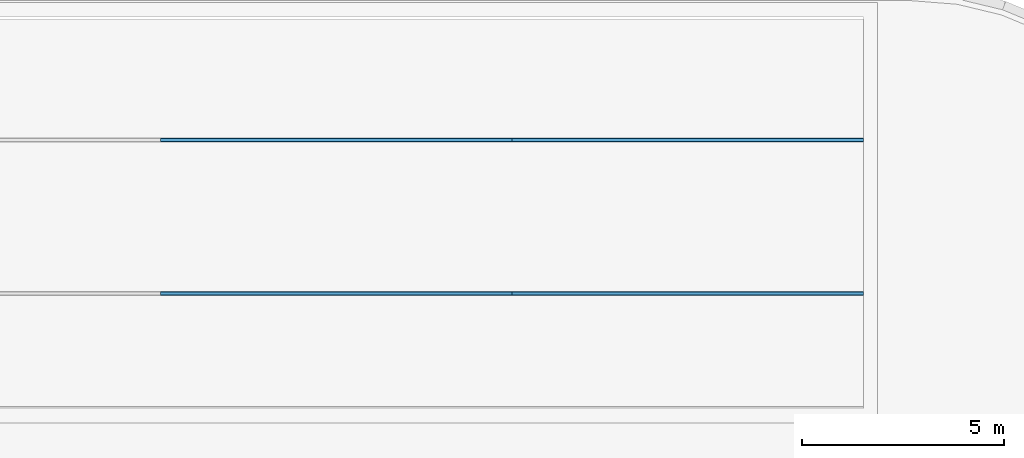
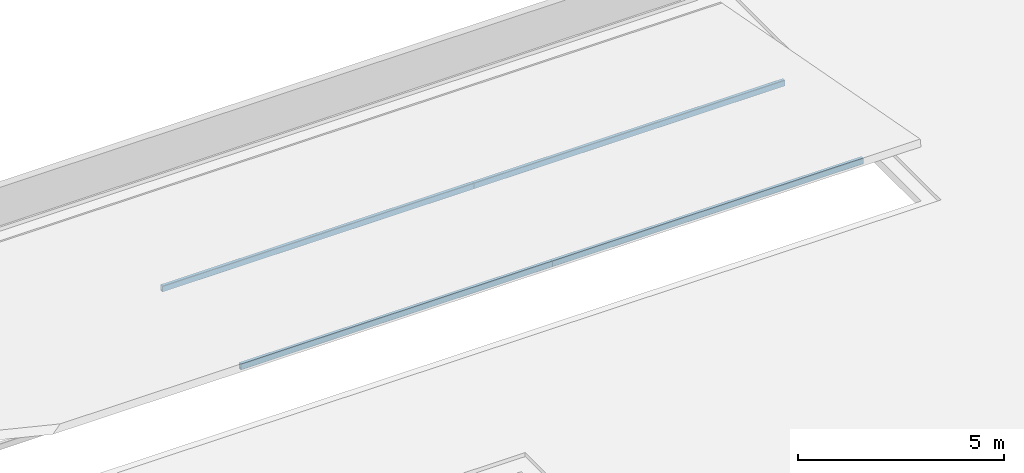
# One storey, part 47 of 76: 4 members.
"""IFC4 building model written with IfcOpenShell, lengths in metres."""

from ifc_helpers import new_model, si_unit, derived_unit, direction, frame, origin, origin_2d, place, context, subcontext, project, spatial, hollow_rectangle, extrude, material, material_profile, profile_set, type_object, element, save


model = new_model("IFC4")

# Units and contexts
model_context = context("Model", 3, precision=1e-05, world=origin(), true_north=direction((0.0, 1.0)))
body_context = subcontext(model_context, "Body", "Model", "MODEL_VIEW")
ifc_project = project(units=[si_unit("LENGTHUNIT", "METRE"), si_unit("AREAUNIT", "SQUARE_METRE"), si_unit("VOLUMEUNIT", "CUBIC_METRE"), si_unit("PLANEANGLEUNIT", "RADIAN"), si_unit("MASSUNIT", "GRAM", prefix="KILO"), derived_unit("THERMALTRANSMITTANCEUNIT", [(si_unit("MASSUNIT", "GRAM", prefix="KILO"), 1), (si_unit("TIMEUNIT", "SECOND"), -3), (si_unit("THERMODYNAMICTEMPERATUREUNIT", "KELVIN"), -1)])], contexts=[model_context])

# Site, building, storey
site_placement = place(None, origin())
site = spatial("IfcSite", under=ifc_project, at=site_placement, CompositionType="ELEMENT")
building_placement = place(site_placement, origin())
building = spatial("IfcBuilding", under=site, at=building_placement, Name="Qinzheling Arcade Emporium", CompositionType="ELEMENT")
storey_placement = place(building_placement, frame((0.0, 0.0, 26.699951171875)))
storey = spatial("IfcBuildingStorey", under=building, at=storey_placement, Name="L06", CompositionType="ELEMENT", Elevation=26.699951171875)

# Members
ifc_material = material(Name="Structural steel Q355B", Category="steel")
ifc_material_profile = material_profile(ifc_material, hollow_rectangle(XDim=0.10009765625, YDim=0.179931640625, WallThickness=0.008056640625, InnerFilletRadius=0.008056640625, OuterFilletRadius=0.01611328125, at=origin_2d()), Name="RHS 180x100x8", Category="steel")
ifc_profile_set = profile_set([ifc_material_profile], Name="Structural steel Q355B")
member_type = type_object("IfcMemberType", Name="Storm Eave Purlin RHS180 Q355B", PredefinedType="PURLIN", material=ifc_profile_set)
for number, where, z_axis, x_axis, name in (
    (1, (130.5, 17.60009765625, -0.52001953125), (1.0, 0.0, 0.0), (0.0, 1.0, 0.0), "Storm Eave Purlin EAVE-PUR-V4-1-2"),
    (2, (139.199951171875, 17.60009765625, -0.52001953125), (1.0, 0.0, 0.0), (0.0, 1.0, 0.0), "Storm Eave Purlin EAVE-PUR-V4-1-3"),
    (3, (130.5, 21.39990234375, -0.52001953125), (1.0, 0.0, 0.0), (0.0, 1.0, 0.0), "Storm Eave Purlin EAVE-PUR-V4-2-2"),
    (4, (139.199951171875, 21.39990234375, -0.52001953125), (1.0, 0.0, 0.0), (0.0, 1.0, 0.0), "Storm Eave Purlin EAVE-PUR-V4-2-3"),
):
    element("IfcMember", number, at=place(storey_placement, frame(where, z_axis=z_axis, x_axis=x_axis)), inside=storey, type_object=member_type, Name=name, PredefinedType="PURLIN", context=body_context, shape_type="SweptSolid", body=[
        extrude(hollow_rectangle(XDim=0.10009765625, YDim=0.179931640625, WallThickness=0.008056640625, InnerFilletRadius=0.008056640625, OuterFilletRadius=0.01611328125, at=origin_2d()), origin(), (0.0, 0.0, 1.0), 8.699951171875),
    ])

save(model, "model.ifc")
